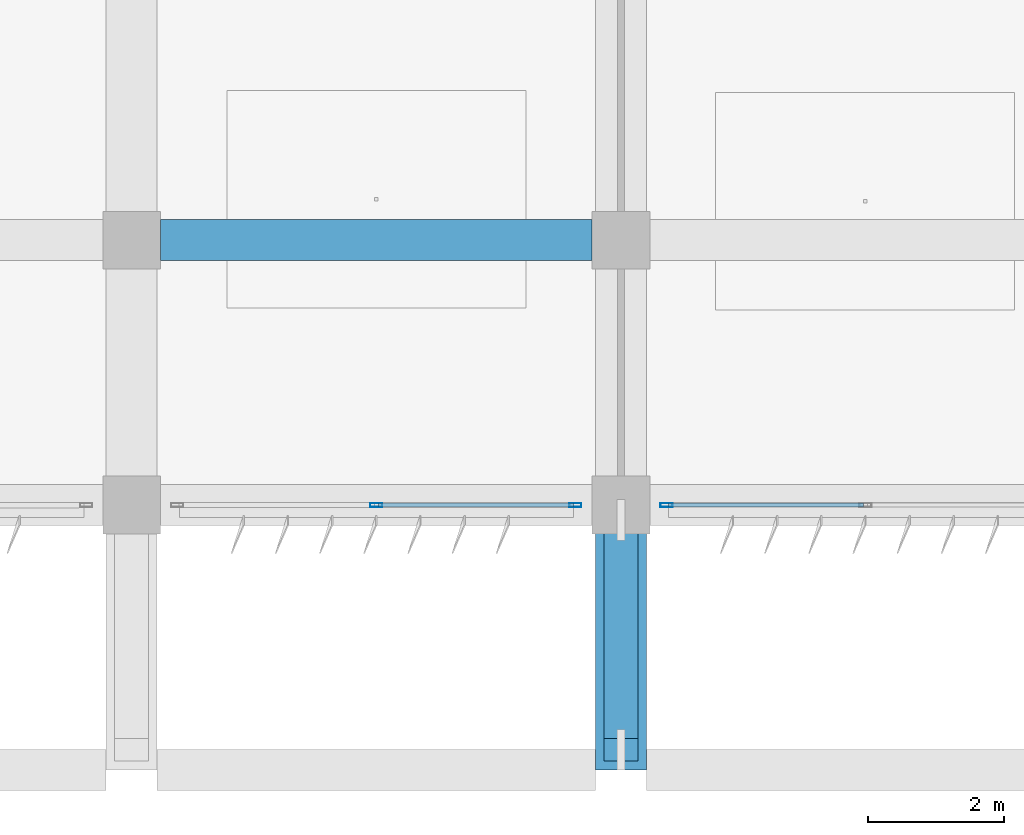
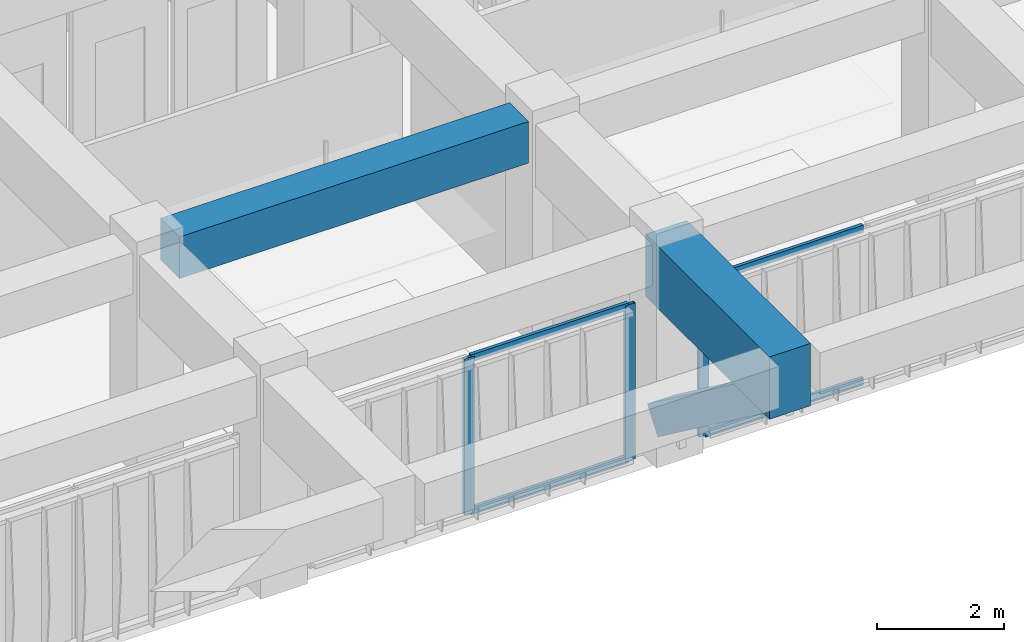
# One storey, part 16 of 56: 8 members, 2 beams, 2 elements without a shape of their own.
"""IFC4 building model written with IfcOpenShell, lengths in metres."""

import ifcopenshell
import ifcopenshell.guid

model = None  # the IFC model being written
_history = None  # IfcOwnerHistory: only IFC2X3 demands one
_inside = {}  # id of a spatial element -> (the spatial element, [elements in it])
_under = {}  # id of a project, library or spatial element -> (it, [spatial elements below it])
_declared = {}  # id of a project -> (the project, [libraries it declares])
_typed = {}  # id of a type object -> (the type object, [elements of that type])
_made_of = {}  # id of a material, layer set ... -> (it, [elements and type objects made of it])


def new_model(schema):
    """Start an empty IFC model of exactly this schema.

    Asked for "IFC4X3", IfcOpenShell would pick the latest addendum, in which some entities
    have other attributes; the version numbers below select the first issue.
    IFC2X3 requires an IfcOwnerHistory on every rooted entity: one is made here for all.
    """
    global model, _history
    if schema == "IFC4X3":
        model = ifcopenshell.file(schema_version=(4, 3, 0, 0))
    else:
        model = ifcopenshell.file(schema=schema)
    _inside.clear()
    _under.clear()
    _declared.clear()
    _typed.clear()
    _made_of.clear()
    _history = None
    if model.schema == "IFC2X3":
        org = make("IfcOrganization", Name="unknown")
        user = make(
            "IfcPersonAndOrganization",
            ThePerson=make("IfcPerson", FamilyName="unknown"),
            TheOrganization=org,
        )
        app = make(
            "IfcApplication",
            ApplicationDeveloper=org,
            Version="unknown",
            ApplicationFullName="unknown",
            ApplicationIdentifier="unknown",
        )
        _history = make(
            "IfcOwnerHistory",
            OwningUser=user,
            OwningApplication=app,
            ChangeAction="ADDED",
            CreationDate=0,
        )
    return model


def make(cls, **values):
    """One entity of the class cls with the attributes given. An attribute that is None is left unset."""
    return model.create_entity(
        cls, **{name: value for name, value in values.items() if value is not None}
    )


def rooted(cls, **values):
    """An entity with a GlobalId (a new one), such as an element, a storey or a relation."""
    return make(cls, GlobalId=ifcopenshell.guid.new(), OwnerHistory=_history, **values)


def si_unit(unit_type, name, prefix=None):
    """IfcSIUnit, for example si_unit("LENGTHUNIT", "METRE", prefix="MILLI")."""
    return make("IfcSIUnit", UnitType=unit_type, Prefix=prefix, Name=name)


def assignment(units):
    """IfcUnitAssignment: the units of a project."""
    return None if units is None else make("IfcUnitAssignment", Units=units)


def point(xyz):
    """IfcCartesianPoint."""
    return None if xyz is None else make("IfcCartesianPoint", Coordinates=xyz)


def direction(xyz):
    """IfcDirection."""
    return None if xyz is None else make("IfcDirection", DirectionRatios=xyz)


def frame(location, z_axis=None, x_axis=None):
    """IfcAxis2Placement3D, a coordinate frame: its origin and axes. An axis left out is left unset."""
    return make(
        "IfcAxis2Placement3D",
        Location=point(location),
        Axis=direction(z_axis),
        RefDirection=direction(x_axis),
    )


def frame_2d(location, x_axis=None):
    """IfcAxis2Placement2D, a coordinate frame in the plane: its origin and x axis."""
    return make(
        "IfcAxis2Placement2D", Location=point(location), RefDirection=direction(x_axis)
    )


def origin():
    """The frame at (0, 0, 0) with its axes left unset."""
    return frame((0.0, 0.0, 0.0))


def origin_2d():
    """The frame at (0, 0) in the plane with its x axis left unset."""
    return frame_2d((0.0, 0.0))


def place(relative_to, where):
    """IfcLocalPlacement: puts the frame where relative to a parent placement (None: the world)."""
    return make(
        "IfcLocalPlacement", PlacementRelTo=relative_to, RelativePlacement=where
    )


def context(
    kind, dimensions, precision=None, world=None, true_north=None, identifier=None
):
    """IfcGeometricRepresentationContext, for example the 3D "Model" context."""
    return make(
        "IfcGeometricRepresentationContext",
        ContextIdentifier=identifier,
        ContextType=kind,
        CoordinateSpaceDimension=dimensions,
        Precision=precision,
        WorldCoordinateSystem=world,
        TrueNorth=true_north,
    )


def subcontext(parent, identifier, kind, view, scale=None):
    """IfcGeometricRepresentationSubContext, for example "Body" below "Model"."""
    return make(
        "IfcGeometricRepresentationSubContext",
        ContextIdentifier=identifier,
        ContextType=kind,
        ParentContext=parent,
        TargetScale=scale,
        TargetView=view,
    )


def project(units=None, contexts=None):
    """IfcProject with its units and contexts."""
    return rooted(
        "IfcProject",
        Name="project",
        RepresentationContexts=contexts,
        UnitsInContext=assignment(units),
    )


def spatial(cls, under=None, at=None, **own):
    """A site, building, storey or space (cls), placed at a placement, below another one or the project."""
    s = rooted(cls, ObjectPlacement=at, **own)
    if under is not None:
        _under.setdefault(under.id(), (under, []))[1].append(s)
    return s


def profile(cls, at=None, kind="AREA", **sizes):
    """A parametric profile (cls). Its sizes go by their IFC names, for example OverallWidth=200.0."""
    return make(cls, ProfileType=kind, Position=at, **sizes)


def rectangle(**sizes):
    """IfcRectangleProfileDef."""
    return profile("IfcRectangleProfileDef", **sizes)


def hollow_rectangle(**sizes):
    """IfcRectangleHollowProfileDef."""
    return profile("IfcRectangleHollowProfileDef", **sizes)


def extrude(swept, where, along, depth):
    """IfcExtrudedAreaSolid: the profile swept, set in the frame where, extruded along a direction by depth."""
    return make(
        "IfcExtrudedAreaSolid",
        SweptArea=swept,
        Position=where,
        ExtrudedDirection=direction(along),
        Depth=depth,
    )


def shape(context_of_items, identifier, shape_type, items):
    """IfcShapeRepresentation: the items that make up one representation, for example the "Body"."""
    return make(
        "IfcShapeRepresentation",
        ContextOfItems=context_of_items,
        RepresentationIdentifier=identifier,
        RepresentationType=shape_type,
        Items=items,
    )


def material(Name=None, Category=None):
    """IfcMaterial."""
    return make("IfcMaterial", Name=Name, Category=Category)


def material_profile(
    of_material, cross_section, Name=None, Category=None, Priority=None
):
    """IfcMaterialProfile: a cross section and its material."""
    return make(
        "IfcMaterialProfile",
        Name=Name,
        Material=of_material,
        Profile=cross_section,
        Priority=Priority,
        Category=Category,
    )


def profile_set(profiles, Name=None, composite=None):
    """IfcMaterialProfileSet."""
    return make(
        "IfcMaterialProfileSet",
        Name=Name,
        MaterialProfiles=profiles,
        CompositeProfile=composite,
    )


def made_of(thing, what):
    """Note that an element or type object is made of a material, layer set ...; save() writes the relation."""
    if what is not None:
        _made_of.setdefault(what.id(), (what, []))[1].append(thing)
    return thing


def type_object(cls, material=None, **own):
    """A type object (cls), such as IfcWallType, which elements share."""
    return made_of(rooted(cls, **own), material)


def element(
    cls,
    number,
    at=None,
    inside=None,
    cuts=None,
    type_object=None,
    material=None,
    context=None,
    identifier="Body",
    shape_type=None,
    held_by="IfcProductDefinitionShape",
    body=None,
    shapes=None,
    **own,
):
    """One element of the class cls, such as IfcWall. Its Tag is "e" and its number.

    at: its placement. inside: the storey or other place that contains it. cuts: it is an
    opening in that element (IfcRelVoidsElement). A single representation is given by context,
    identifier, shape_type and body (its items); several are given by shapes. held_by: the class
    of the entity that holds the representations. save() writes the other relations.
    """
    e = rooted(cls, Tag="e%d" % number, ObjectPlacement=at, **own)
    if body is not None:
        shapes = [shape(context, identifier, shape_type, body)]
    if shapes is not None:
        e.Representation = make(held_by, Representations=shapes)
    if inside is not None:
        _inside.setdefault(inside.id(), (inside, []))[1].append(e)
    if cuts is not None:
        rooted(
            "IfcRelVoidsElement", RelatingBuildingElement=cuts, RelatedOpeningElement=e
        )
    if type_object is not None:
        _typed.setdefault(type_object.id(), (type_object, []))[1].append(e)
    return made_of(e, material)


def aggregate(whole, parts):
    """IfcRelAggregates: a whole, such as a stair, and the parts it consists of."""
    return rooted("IfcRelAggregates", RelatingObject=whole, RelatedObjects=parts)


def save(model, path):
    """Write the relations noted so far, then the file.

    IfcRelAggregates (storeys below a building ...), IfcRelContainedInSpatialStructure (elements
    in a storey), IfcRelDefinesByType, IfcRelAssociatesMaterial and IfcRelDeclares: one each for
    every whole, place, type object, material and project.
    """
    for whole, parts in _under.values():
        aggregate(whole, parts)
    for where, things in _inside.values():
        rooted(
            "IfcRelContainedInSpatialStructure",
            RelatedElements=things,
            RelatingStructure=where,
        )
    for kind, things in _typed.values():
        rooted("IfcRelDefinesByType", RelatedObjects=things, RelatingType=kind)
    for what, things in _made_of.values():
        rooted("IfcRelAssociatesMaterial", RelatedObjects=things, RelatingMaterial=what)
    for by, libraries in _declared.values():
        rooted("IfcRelDeclares", RelatingContext=by, RelatedDefinitions=libraries)
    model.write(path)


model = new_model("IFC4")

# Units and contexts
model_context = context("Model", 3, precision=1e-05, world=origin(), true_north=direction((0.0, 1.0)))
body_context = subcontext(model_context, "Body", "Model", "MODEL_VIEW")
ifc_project = project(units=[si_unit("LENGTHUNIT", "METRE"), si_unit("AREAUNIT", "SQUARE_METRE"), si_unit("VOLUMEUNIT", "CUBIC_METRE"), si_unit("PLANEANGLEUNIT", "RADIAN"), si_unit("MASSUNIT", "GRAM", prefix="KILO")], contexts=[model_context])

# Site, building, storey
site_placement = place(None, origin())
site = spatial("IfcSite", under=ifc_project, at=site_placement, CompositionType="ELEMENT")
building_placement = place(site_placement, origin())
building = spatial("IfcBuilding", under=site, at=building_placement, Name="Kazehaya Institute of Natural Sciences", CompositionType="ELEMENT")
storey_placement = place(building_placement, frame((0.0, 0.0, 24.300048828125)))
storey = spatial("IfcBuildingStorey", under=building, at=storey_placement, Name="L05", CompositionType="ELEMENT", Elevation=24.300048828125)

# Beams
ifc_material_1 = material(Name="Concrete Fc36", Category="concrete")
ifc_material_profile_1 = material_profile(ifc_material_1, rectangle(XDim=0.60009765625, YDim=0.800048828125, at=origin_2d()), Name="RC-600x800")
ifc_profile_set_1 = profile_set([ifc_material_profile_1], Name="Concrete Fc36")
beam_type_1 = type_object("IfcBeamType", Name="BM-G-600x800", PredefinedType="BEAM", material=ifc_profile_set_1)
beam_1_placement = place(storey_placement, frame((83.824951171875, 14.0, 3.829833984375), z_axis=(1.0, 0.0, 0.0), x_axis=(0.0, 1.0, 0.0)))
element("IfcBeam", 1, at=beam_1_placement, inside=storey, type_object=beam_type_1, Name="L05 primary X girder BMX-L05-834-140", PredefinedType="BEAM", context=body_context, shape_type="SweptSolid", body=[
    extrude(rectangle(XDim=0.60009765625, YDim=0.800048828125, at=origin_2d()), origin(), (0.0, 0.0, 1.0), 6.35009765625),
])
ifc_material_2 = material(Name="Concrete Fc42", Category="concrete")
ifc_material_profile_2 = material_profile(ifc_material_2, rectangle(XDim=0.75, YDim=1.199951171875, at=origin_2d()), Name="RC-750x1200")
ifc_profile_set_2 = profile_set([ifc_material_profile_2], Name="Concrete Fc42")
beam_type_2 = type_object("IfcBeamType", Name="BM-TG-750x1200", PredefinedType="BEAM", material=ifc_profile_set_2)
beam_2_placement = place(storey_placement, frame((90.60009765625, 6.199951171875, 3.6298828125), z_axis=(0.0, 1.0, 0.0), x_axis=(-1.0, 0.0, 0.0)))
element("IfcBeam", 2, at=beam_2_placement, inside=storey, type_object=beam_type_2, Name="L05 cantilever transfer girder 1737", PredefinedType="BEAM", context=body_context, shape_type="SweptSolid", body=[
    extrude(rectangle(XDim=0.75, YDim=1.199951171875, at=origin_2d()), origin(), (0.0, 0.0, 1.0), 3.900146484375),
])

# Curtain wall, member
ifc_material_3 = material(Name="Aluminium alloy A6063S-T5", Category="aluminium")
curtain_wall_type = type_object("IfcCurtainWallType", Name="CW-SYS-04", PredefinedType="NOTDEFINED", material=ifc_material_3)
curtain_wall_1_placement = place(storey_placement, origin())
curtain_wall_1 = element("IfcCurtainWall", 3, at=curtain_wall_1_placement, inside=storey, type_object=curtain_wall_type, Name="L05 unitised curtain wall CW-L05-097", PredefinedType="NOTDEFINED")
ifc_material_profile_3 = material_profile(ifc_material_3, hollow_rectangle(XDim=0.06005859375, YDim=0.179931640625, WallThickness=0.00390625, at=origin_2d()), Name="ALU-60x180x4")
ifc_profile_set_3 = profile_set([ifc_material_profile_3], Name="Aluminium alloy A6063S-T5")
member_type_1 = type_object("IfcMemberType", Name="CWM-180", PredefinedType="MULLION", material=ifc_profile_set_3)
member_1_placement = place(storey_placement, frame((91.27001953125, 10.10009765625, 0.0), z_axis=(0.0, 0.0, 1.0), x_axis=(0.0, -1.0, 0.0)))
member_1 = element("IfcMember", 4, at=member_1_placement, type_object=member_type_1, Name="CW04 mullion 3", PredefinedType="MULLION", context=body_context, shape_type="SweptSolid", body=[
    extrude(hollow_rectangle(XDim=0.06005859375, YDim=0.179931640625, WallThickness=0.00390625, at=origin_2d()), origin(), (0.0, 0.0, 1.0), 3.0),
])

# Curtain wall, members
curtain_wall_2_placement = place(storey_placement, origin())
curtain_wall_2 = element("IfcCurtainWall", 5, at=curtain_wall_2_placement, inside=storey, type_object=curtain_wall_type, Name="L05 unitised curtain wall CW-L05-098", PredefinedType="NOTDEFINED")
member_2_placement = place(storey_placement, frame((89.929931640625, 10.10009765625, 0.0), z_axis=(0.0, 0.0, 1.0), x_axis=(0.0, -1.0, 0.0)))
member_2 = element("IfcMember", 6, at=member_2_placement, type_object=member_type_1, Name="CW04 mullion 1", PredefinedType="MULLION", context=body_context, shape_type="SweptSolid", body=[
    extrude(hollow_rectangle(XDim=0.06005859375, YDim=0.179931640625, WallThickness=0.00390625, at=origin_2d()), origin(), (0.0, 0.0, 1.0), 3.0),
])
member_3_placement = place(storey_placement, frame((87.0, 10.10009765625, 0.0), z_axis=(0.0, 0.0, 1.0), x_axis=(0.0, -1.0, 0.0)))
member_3 = element("IfcMember", 7, at=member_3_placement, type_object=member_type_1, Name="CW04 mullion 2", PredefinedType="MULLION", context=body_context, shape_type="SweptSolid", body=[
    extrude(hollow_rectangle(XDim=0.06005859375, YDim=0.179931640625, WallThickness=0.00390625, at=origin_2d()), origin(), (0.0, 0.0, 1.0), 3.0),
])

# Member
ifc_material_profile_4 = material_profile(ifc_material_3, hollow_rectangle(XDim=0.06005859375, YDim=0.139892578125, WallThickness=0.00341796875, at=origin_2d()), Name="ALU-60x140x3.5")
ifc_profile_set_4 = profile_set([ifc_material_profile_4], Name="Aluminium alloy A6063S-T5")
member_type_2 = type_object("IfcMemberType", Name="CWT-140", PredefinedType="USERDEFINED", material=ifc_profile_set_4)
member_4_placement = place(storey_placement, frame((94.169921875, 10.10009765625, 0.030029296875), z_axis=(-1.0, 0.0, 0.0), x_axis=(0.0, -1.0, 0.0)))
member_4 = element("IfcMember", 8, at=member_4_placement, type_object=member_type_2, Name="CW04 transom 2.1", ObjectType="TRANSOM", PredefinedType="USERDEFINED", context=body_context, shape_type="SweptSolid", body=[
    extrude(hollow_rectangle(XDim=0.06005859375, YDim=0.139892578125, WallThickness=0.00341796875, at=origin_2d()), origin(), (0.0, 0.0, 1.0), 2.869873046875),
])

member_5_placement = place(storey_placement, frame((94.169921875, 10.10009765625, 2.969970703125), z_axis=(-1.0, 0.0, 0.0), x_axis=(0.0, -1.0, 0.0)))
member_5 = element("IfcMember", 9, at=member_5_placement, type_object=member_type_2, Name="CW04 transom 2.2", ObjectType="TRANSOM", PredefinedType="USERDEFINED", context=body_context, shape_type="SweptSolid", body=[
    extrude(hollow_rectangle(XDim=0.06005859375, YDim=0.139892578125, WallThickness=0.00341796875, at=origin_2d()), origin(), (0.0, 0.0, 1.0), 2.869873046875),
])

aggregate(curtain_wall_1, [member_1, member_4, member_5])

member_6_placement = place(storey_placement, frame((89.89990234375, 10.10009765625, 0.030029296875), z_axis=(-1.0, 0.0, 0.0), x_axis=(0.0, -1.0, 0.0)))
member_6 = element("IfcMember", 10, at=member_6_placement, type_object=member_type_2, Name="CW04 transom 1.1", ObjectType="TRANSOM", PredefinedType="USERDEFINED", context=body_context, shape_type="SweptSolid", body=[
    extrude(hollow_rectangle(XDim=0.06005859375, YDim=0.139892578125, WallThickness=0.00341796875, at=origin_2d()), origin(), (0.0, 0.0, 1.0), 2.869873046875),
])

member_7_placement = place(storey_placement, frame((89.89990234375, 10.10009765625, 2.969970703125), z_axis=(-1.0, 0.0, 0.0), x_axis=(0.0, -1.0, 0.0)))
member_7 = element("IfcMember", 11, at=member_7_placement, type_object=member_type_2, Name="CW04 transom 1.2", ObjectType="TRANSOM", PredefinedType="USERDEFINED", context=body_context, shape_type="SweptSolid", body=[
    extrude(hollow_rectangle(XDim=0.06005859375, YDim=0.139892578125, WallThickness=0.00341796875, at=origin_2d()), origin(), (0.0, 0.0, 1.0), 2.869873046875),
])

aggregate(curtain_wall_2, [member_2, member_3, member_6, member_7])

ifc_material_profile_5 = material_profile(ifc_material_2, rectangle(XDim=0.5, YDim=0.550048828125, at=origin_2d()), Name="RC-500x550")
ifc_profile_set_5 = profile_set([ifc_material_profile_5], Name="Concrete Fc42")
member_type_3 = type_object("IfcMemberType", Name="MEM-STRUT-RC500", PredefinedType="BRACE", material=ifc_profile_set_5)
member_8_placement = place(storey_placement, frame((90.60009765625, 10.10009765625, 0.599853515625), z_axis=(0.0, -0.802122938841, 0.597158932768), x_axis=(1.0, 0.0, 0.0)))
element("IfcMember", 12, at=member_8_placement, inside=storey, type_object=member_type_3, Name="L05 raked cantilever strut 016", PredefinedType="BRACE", context=body_context, shape_type="SweptSolid", body=[
    extrude(rectangle(XDim=0.5, YDim=0.550048828125, at=origin_2d()), origin(), (0.0, 0.0, 1.0), 4.48828125),
])

save(model, "model.ifc")
